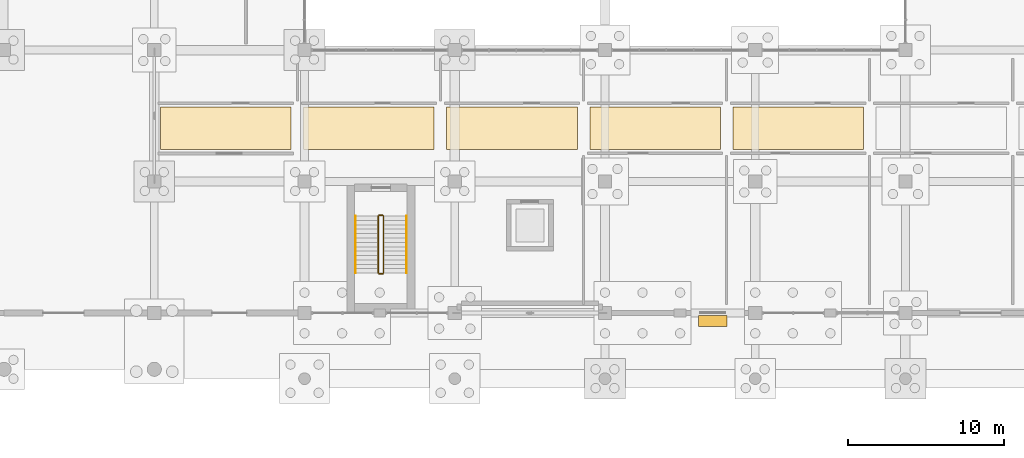
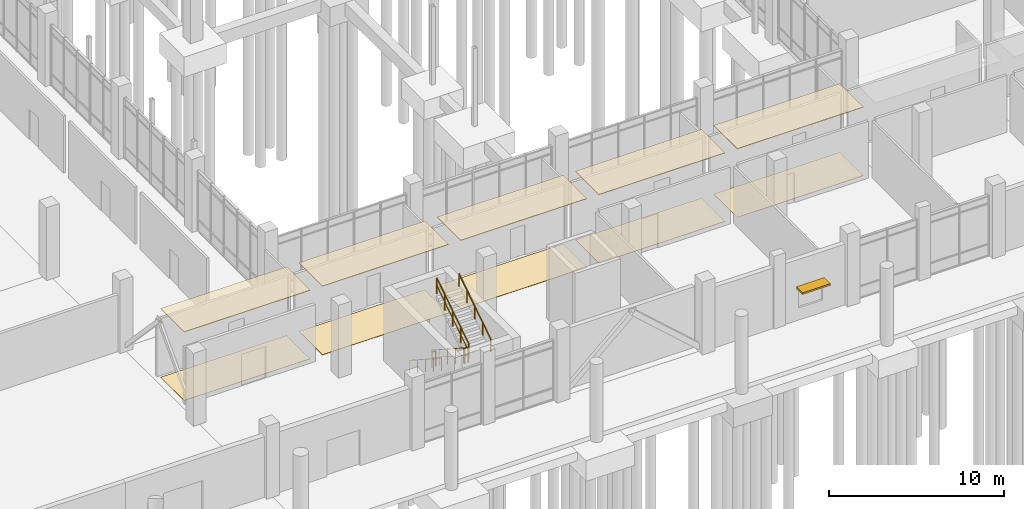
# One storey, part 129 of 136: 10 coverings, 6 railings, 1 shading device.
"""IFC4 building model written with IfcOpenShell, lengths in metres."""

import ifcopenshell
import ifcopenshell.guid

model = None  # the IFC model being written
_history = None  # IfcOwnerHistory: only IFC2X3 demands one
_inside = {}  # id of a spatial element -> (the spatial element, [elements in it])
_under = {}  # id of a project, library or spatial element -> (it, [spatial elements below it])
_declared = {}  # id of a project -> (the project, [libraries it declares])
_typed = {}  # id of a type object -> (the type object, [elements of that type])
_made_of = {}  # id of a material, layer set ... -> (it, [elements and type objects made of it])


def new_model(schema):
    """Start an empty IFC model of exactly this schema.

    Asked for "IFC4X3", IfcOpenShell would pick the latest addendum, in which some entities
    have other attributes; the version numbers below select the first issue.
    IFC2X3 requires an IfcOwnerHistory on every rooted entity: one is made here for all.
    """
    global model, _history
    if schema == "IFC4X3":
        model = ifcopenshell.file(schema_version=(4, 3, 0, 0))
    else:
        model = ifcopenshell.file(schema=schema)
    _inside.clear()
    _under.clear()
    _declared.clear()
    _typed.clear()
    _made_of.clear()
    _history = None
    if model.schema == "IFC2X3":
        org = make("IfcOrganization", Name="unknown")
        user = make(
            "IfcPersonAndOrganization",
            ThePerson=make("IfcPerson", FamilyName="unknown"),
            TheOrganization=org,
        )
        app = make(
            "IfcApplication",
            ApplicationDeveloper=org,
            Version="unknown",
            ApplicationFullName="unknown",
            ApplicationIdentifier="unknown",
        )
        _history = make(
            "IfcOwnerHistory",
            OwningUser=user,
            OwningApplication=app,
            ChangeAction="ADDED",
            CreationDate=0,
        )
    return model


def make(cls, **values):
    """One entity of the class cls with the attributes given. An attribute that is None is left unset."""
    return model.create_entity(
        cls, **{name: value for name, value in values.items() if value is not None}
    )


def rooted(cls, **values):
    """An entity with a GlobalId (a new one), such as an element, a storey or a relation."""
    return make(cls, GlobalId=ifcopenshell.guid.new(), OwnerHistory=_history, **values)


def si_unit(unit_type, name, prefix=None):
    """IfcSIUnit, for example si_unit("LENGTHUNIT", "METRE", prefix="MILLI")."""
    return make("IfcSIUnit", UnitType=unit_type, Prefix=prefix, Name=name)


def assignment(units):
    """IfcUnitAssignment: the units of a project."""
    return None if units is None else make("IfcUnitAssignment", Units=units)


def point(xyz):
    """IfcCartesianPoint."""
    return None if xyz is None else make("IfcCartesianPoint", Coordinates=xyz)


def direction(xyz):
    """IfcDirection."""
    return None if xyz is None else make("IfcDirection", DirectionRatios=xyz)


def frame(location, z_axis=None, x_axis=None):
    """IfcAxis2Placement3D, a coordinate frame: its origin and axes. An axis left out is left unset."""
    return make(
        "IfcAxis2Placement3D",
        Location=point(location),
        Axis=direction(z_axis),
        RefDirection=direction(x_axis),
    )


def frame_2d(location, x_axis=None):
    """IfcAxis2Placement2D, a coordinate frame in the plane: its origin and x axis."""
    return make(
        "IfcAxis2Placement2D", Location=point(location), RefDirection=direction(x_axis)
    )


def origin():
    """The frame at (0, 0, 0) with its axes left unset."""
    return frame((0.0, 0.0, 0.0))


def origin_2d():
    """The frame at (0, 0) in the plane with its x axis left unset."""
    return frame_2d((0.0, 0.0))


def place(relative_to, where):
    """IfcLocalPlacement: puts the frame where relative to a parent placement (None: the world)."""
    return make(
        "IfcLocalPlacement", PlacementRelTo=relative_to, RelativePlacement=where
    )


def context(
    kind, dimensions, precision=None, world=None, true_north=None, identifier=None
):
    """IfcGeometricRepresentationContext, for example the 3D "Model" context."""
    return make(
        "IfcGeometricRepresentationContext",
        ContextIdentifier=identifier,
        ContextType=kind,
        CoordinateSpaceDimension=dimensions,
        Precision=precision,
        WorldCoordinateSystem=world,
        TrueNorth=true_north,
    )


def subcontext(parent, identifier, kind, view, scale=None):
    """IfcGeometricRepresentationSubContext, for example "Body" below "Model"."""
    return make(
        "IfcGeometricRepresentationSubContext",
        ContextIdentifier=identifier,
        ContextType=kind,
        ParentContext=parent,
        TargetScale=scale,
        TargetView=view,
    )


def project(units=None, contexts=None):
    """IfcProject with its units and contexts."""
    return rooted(
        "IfcProject",
        Name="project",
        RepresentationContexts=contexts,
        UnitsInContext=assignment(units),
    )


def spatial(cls, under=None, at=None, **own):
    """A site, building, storey or space (cls), placed at a placement, below another one or the project."""
    s = rooted(cls, ObjectPlacement=at, **own)
    if under is not None:
        _under.setdefault(under.id(), (under, []))[1].append(s)
    return s


def polyline(points):
    """IfcPolyline through the points."""
    return make("IfcPolyline", Points=[point(p) for p in points])


def profile(cls, at=None, kind="AREA", **sizes):
    """A parametric profile (cls). Its sizes go by their IFC names, for example OverallWidth=200.0."""
    return make(cls, ProfileType=kind, Position=at, **sizes)


def rectangle(**sizes):
    """IfcRectangleProfileDef."""
    return profile("IfcRectangleProfileDef", **sizes)


def circle(**sizes):
    """IfcCircleProfileDef."""
    return profile("IfcCircleProfileDef", **sizes)


def outline(outer, holes=None, kind="AREA"):
    """IfcArbitraryClosedProfileDef: a profile drawn as a closed curve; with holes, ...WithVoids."""
    if holes is None:
        return make("IfcArbitraryClosedProfileDef", ProfileType=kind, OuterCurve=outer)
    return make(
        "IfcArbitraryProfileDefWithVoids",
        ProfileType=kind,
        OuterCurve=outer,
        InnerCurves=holes,
    )


def extrude(swept, where, along, depth):
    """IfcExtrudedAreaSolid: the profile swept, set in the frame where, extruded along a direction by depth."""
    return make(
        "IfcExtrudedAreaSolid",
        SweptArea=swept,
        Position=where,
        ExtrudedDirection=direction(along),
        Depth=depth,
    )


def shape(context_of_items, identifier, shape_type, items):
    """IfcShapeRepresentation: the items that make up one representation, for example the "Body"."""
    return make(
        "IfcShapeRepresentation",
        ContextOfItems=context_of_items,
        RepresentationIdentifier=identifier,
        RepresentationType=shape_type,
        Items=items,
    )


def material(Name=None, Category=None):
    """IfcMaterial."""
    return make("IfcMaterial", Name=Name, Category=Category)


def layer(
    of_material, thickness, ventilated=None, Name=None, Category=None, Priority=None
):
    """IfcMaterialLayer: one layer of a wall or slab, of a material (None: an air gap)."""
    return make(
        "IfcMaterialLayer",
        Material=of_material,
        LayerThickness=thickness,
        IsVentilated=ventilated,
        Name=Name,
        Category=Category,
        Priority=Priority,
    )


def layer_set(layers, Name=None):
    """IfcMaterialLayerSet."""
    return make("IfcMaterialLayerSet", MaterialLayers=layers, LayerSetName=Name)


def made_of(thing, what):
    """Note that an element or type object is made of a material, layer set ...; save() writes the relation."""
    if what is not None:
        _made_of.setdefault(what.id(), (what, []))[1].append(thing)
    return thing


def type_object(cls, material=None, **own):
    """A type object (cls), such as IfcWallType, which elements share."""
    return made_of(rooted(cls, **own), material)


def element(
    cls,
    number,
    at=None,
    inside=None,
    cuts=None,
    type_object=None,
    material=None,
    context=None,
    identifier="Body",
    shape_type=None,
    held_by="IfcProductDefinitionShape",
    body=None,
    shapes=None,
    **own,
):
    """One element of the class cls, such as IfcWall. Its Tag is "e" and its number.

    at: its placement. inside: the storey or other place that contains it. cuts: it is an
    opening in that element (IfcRelVoidsElement). A single representation is given by context,
    identifier, shape_type and body (its items); several are given by shapes. held_by: the class
    of the entity that holds the representations. save() writes the other relations.
    """
    e = rooted(cls, Tag="e%d" % number, ObjectPlacement=at, **own)
    if body is not None:
        shapes = [shape(context, identifier, shape_type, body)]
    if shapes is not None:
        e.Representation = make(held_by, Representations=shapes)
    if inside is not None:
        _inside.setdefault(inside.id(), (inside, []))[1].append(e)
    if cuts is not None:
        rooted(
            "IfcRelVoidsElement", RelatingBuildingElement=cuts, RelatedOpeningElement=e
        )
    if type_object is not None:
        _typed.setdefault(type_object.id(), (type_object, []))[1].append(e)
    return made_of(e, material)


def aggregate(whole, parts):
    """IfcRelAggregates: a whole, such as a stair, and the parts it consists of."""
    return rooted("IfcRelAggregates", RelatingObject=whole, RelatedObjects=parts)


def save(model, path):
    """Write the relations noted so far, then the file.

    IfcRelAggregates (storeys below a building ...), IfcRelContainedInSpatialStructure (elements
    in a storey), IfcRelDefinesByType, IfcRelAssociatesMaterial and IfcRelDeclares: one each for
    every whole, place, type object, material and project.
    """
    for whole, parts in _under.values():
        aggregate(whole, parts)
    for where, things in _inside.values():
        rooted(
            "IfcRelContainedInSpatialStructure",
            RelatedElements=things,
            RelatingStructure=where,
        )
    for kind, things in _typed.values():
        rooted("IfcRelDefinesByType", RelatedObjects=things, RelatingType=kind)
    for what, things in _made_of.values():
        rooted("IfcRelAssociatesMaterial", RelatedObjects=things, RelatingMaterial=what)
    for by, libraries in _declared.values():
        rooted("IfcRelDeclares", RelatingContext=by, RelatedDefinitions=libraries)
    model.write(path)


model = new_model("IFC4")

# Units and contexts
model_context = context("Model", 3, precision=1e-05, world=origin(), true_north=direction((0.0, 1.0)))
body_context = subcontext(model_context, "Body", "Model", "MODEL_VIEW")
ifc_project = project(units=[si_unit("LENGTHUNIT", "METRE"), si_unit("AREAUNIT", "SQUARE_METRE"), si_unit("VOLUMEUNIT", "CUBIC_METRE"), si_unit("PLANEANGLEUNIT", "RADIAN"), si_unit("MASSUNIT", "GRAM", prefix="KILO")], contexts=[model_context])

# Site, building, storey
site_placement = place(None, origin())
site = spatial("IfcSite", under=ifc_project, at=site_placement, CompositionType="ELEMENT")
building_placement = place(site_placement, origin())
building = spatial("IfcBuilding", under=site, at=building_placement, Name="Oolite Switchyard Hospital", CompositionType="ELEMENT")
storey_placement = place(building_placement, origin())
storey = spatial("IfcBuildingStorey", under=building, at=storey_placement, Name="L00", CompositionType="ELEMENT", Elevation=0.0)

# Coverings
ifc_material_1 = material(Name="Hygienic washable mineral-fibre acoustic ceiling")
ifc_layer_1 = layer(ifc_material_1, 0.0400390625)
ifc_layer_set_1 = layer_set([ifc_layer_1], Name="COV-CEIL-AC60")
covering_type_1 = type_object("IfcCoveringType", Name="COV-CEIL-AC60", PredefinedType="CEILING", material=ifc_layer_set_1)
covering_1_placement = place(storey_placement, frame((0.0, 0.0, 4.784912109375)))
element("IfcCovering", 1, at=covering_1_placement, inside=storey, type_object=covering_type_1, Name="L00 Outpatient South Clinic Corridor L00 Ceiling 1", PredefinedType="CEILING", context=body_context, shape_type="SweptSolid", body=[
    extrude(outline(polyline([(134.800048828125, 18.85009765625), (143.14306640625, 18.85009765625), (143.14306640625, 21.550048828125), (134.800048828125, 21.550048828125), (134.800048828125, 18.85009765625)])), origin(), (0.0, 0.0, 1.0), 0.0400390625),
])
covering_2_placement = place(storey_placement, frame((0.0, 0.0, 4.784912109375)))
element("IfcCovering", 2, at=covering_2_placement, inside=storey, type_object=covering_type_1, Name="L00 Outpatient South Clinic Corridor L00 Ceiling 2", PredefinedType="CEILING", context=body_context, shape_type="SweptSolid", body=[
    extrude(outline(polyline([(143.943115234375, 18.85009765625), (152.285888671875, 18.85009765625), (152.285888671875, 21.550048828125), (143.943115234375, 21.550048828125), (143.943115234375, 18.85009765625)])), origin(), (0.0, 0.0, 1.0), 0.0400390625),
])
covering_3_placement = place(storey_placement, frame((0.0, 0.0, 4.784912109375)))
element("IfcCovering", 3, at=covering_3_placement, inside=storey, type_object=covering_type_1, Name="L00 Outpatient South Clinic Corridor L00 Ceiling 3", PredefinedType="CEILING", context=body_context, shape_type="SweptSolid", body=[
    extrude(outline(polyline([(153.0859375, 18.85009765625), (161.428955078125, 18.85009765625), (161.428955078125, 21.550048828125), (153.0859375, 21.550048828125), (153.0859375, 18.85009765625)])), origin(), (0.0, 0.0, 1.0), 0.0400390625),
])
covering_4_placement = place(storey_placement, frame((0.0, 0.0, 4.784912109375)))
element("IfcCovering", 4, at=covering_4_placement, inside=storey, type_object=covering_type_1, Name="L00 Outpatient South Clinic Corridor L00 Ceiling 4", PredefinedType="CEILING", context=body_context, shape_type="SweptSolid", body=[
    extrude(outline(polyline([(162.22900390625, 18.85009765625), (170.572021484375, 18.85009765625), (170.572021484375, 21.550048828125), (162.22900390625, 21.550048828125), (162.22900390625, 18.85009765625)])), origin(), (0.0, 0.0, 1.0), 0.0400390625),
])
covering_5_placement = place(storey_placement, frame((0.0, 0.0, 4.784912109375)))
element("IfcCovering", 5, at=covering_5_placement, inside=storey, type_object=covering_type_1, Name="L00 Outpatient South Clinic Corridor L00 Ceiling 5", PredefinedType="CEILING", context=body_context, shape_type="SweptSolid", body=[
    extrude(outline(polyline([(171.3720703125, 18.85009765625), (179.715087890625, 18.85009765625), (179.715087890625, 21.550048828125), (171.3720703125, 21.550048828125), (171.3720703125, 18.85009765625)])), origin(), (0.0, 0.0, 1.0), 0.0400390625),
])
ifc_material_2 = material(Name="Epoxy terrazzo seamless clinical flooring")
ifc_layer_2 = layer(ifc_material_2, 0.02001953125)
ifc_layer_set_2 = layer_set([ifc_layer_2], Name="COV-FLR-TER20")
covering_type_2 = type_object("IfcCoveringType", Name="COV-FLR-TER20", PredefinedType="FLOORING", material=ifc_layer_set_2)
covering_6_placement = place(storey_placement, origin())
element("IfcCovering", 6, at=covering_6_placement, inside=storey, type_object=covering_type_2, Name="L00 Outpatient South Clinic Corridor L00 Flooring 1", PredefinedType="FLOORING", context=body_context, shape_type="SweptSolid", body=[
    extrude(outline(polyline([(134.800048828125, 18.85009765625), (143.14306640625, 18.85009765625), (143.14306640625, 21.550048828125), (134.800048828125, 21.550048828125), (134.800048828125, 18.85009765625)])), origin(), (0.0, 0.0, 1.0), 0.02001953125),
])
covering_7_placement = place(storey_placement, origin())
element("IfcCovering", 7, at=covering_7_placement, inside=storey, type_object=covering_type_2, Name="L00 Outpatient South Clinic Corridor L00 Flooring 2", PredefinedType="FLOORING", context=body_context, shape_type="SweptSolid", body=[
    extrude(outline(polyline([(143.943115234375, 18.85009765625), (152.285888671875, 18.85009765625), (152.285888671875, 21.550048828125), (143.943115234375, 21.550048828125), (143.943115234375, 18.85009765625)])), origin(), (0.0, 0.0, 1.0), 0.02001953125),
])
covering_8_placement = place(storey_placement, origin())
element("IfcCovering", 8, at=covering_8_placement, inside=storey, type_object=covering_type_2, Name="L00 Outpatient South Clinic Corridor L00 Flooring 3", PredefinedType="FLOORING", context=body_context, shape_type="SweptSolid", body=[
    extrude(outline(polyline([(153.0859375, 18.85009765625), (161.428955078125, 18.85009765625), (161.428955078125, 21.550048828125), (153.0859375, 21.550048828125), (153.0859375, 18.85009765625)])), origin(), (0.0, 0.0, 1.0), 0.02001953125),
])
covering_9_placement = place(storey_placement, origin())
element("IfcCovering", 9, at=covering_9_placement, inside=storey, type_object=covering_type_2, Name="L00 Outpatient South Clinic Corridor L00 Flooring 4", PredefinedType="FLOORING", context=body_context, shape_type="SweptSolid", body=[
    extrude(outline(polyline([(162.22900390625, 18.85009765625), (170.572021484375, 18.85009765625), (170.572021484375, 21.550048828125), (162.22900390625, 21.550048828125), (162.22900390625, 18.85009765625)])), origin(), (0.0, 0.0, 1.0), 0.02001953125),
])
covering_10_placement = place(storey_placement, origin())
element("IfcCovering", 10, at=covering_10_placement, inside=storey, type_object=covering_type_2, Name="L00 Outpatient South Clinic Corridor L00 Flooring 5", PredefinedType="FLOORING", context=body_context, shape_type="SweptSolid", body=[
    extrude(outline(polyline([(171.3720703125, 18.85009765625), (179.715087890625, 18.85009765625), (179.715087890625, 21.550048828125), (171.3720703125, 21.550048828125), (171.3720703125, 18.85009765625)])), origin(), (0.0, 0.0, 1.0), 0.02001953125),
])

# Railings
ifc_material_3 = material(Name="Galvanized painted architectural steel handrail", Category="steel")
railing_type_1 = type_object("IfcRailingType", Name="RL-STAIR-GRD", PredefinedType="GUARDRAIL", material=ifc_material_3)
railing_1_placement = place(storey_placement, frame((148.7099609375, 14.590087890625, 0.18212890625)))
element("IfcRailing", 11, at=railing_1_placement, inside=storey, type_object=railing_type_1, Name="L00 ST-05 stair guard 1", PredefinedType="GUARDRAIL", context=body_context, shape_type="SweptSolid", body=[
    extrude(circle(Radius=0.02392578125, at=origin_2d()), frame((0.0, 0.0, 1.076171875), z_axis=(0.0, -0.83825089185, 0.545284735081), x_axis=(1.0, 0.0, 0.0)), (0.0, 0.0, 1.0), 4.342529296875),
    extrude(circle(Radius=0.015625, at=origin_2d()), frame((0.0, 0.0, 0.550048828125), z_axis=(0.0, -0.83825089185, 0.545284735081), x_axis=(1.0, 0.0, 0.0)), (0.0, 0.0, 1.0), 4.342529296875),
    extrude(circle(Radius=0.02099609375, at=origin_2d()), origin(), (0.0, 0.0, 1.0), 1.052001953125),
    extrude(circle(Radius=0.02099609375, at=origin_2d()), frame((0.0, -0.91015625, 0.592041015625)), (0.0, 0.0, 1.0), 1.052001953125),
    extrude(circle(Radius=0.02099609375, at=origin_2d()), frame((0.0, -1.820068359375, 1.18408203125)), (0.0, 0.0, 1.0), 1.052001953125),
    extrude(circle(Radius=0.02099609375, at=origin_2d()), frame((0.0, -2.72998046875, 1.77587890625)), (0.0, 0.0, 1.0), 1.052001953125),
    extrude(circle(Radius=0.02099609375, at=origin_2d()), frame((0.0, -3.64013671875, 2.367919921875)), (0.0, 0.0, 1.0), 1.052001953125),
])
railing_2_placement = place(storey_placement, frame((148.760009765625, 10.89990234375, 2.550048828125)))
element("IfcRailing", 12, at=railing_2_placement, inside=storey, type_object=railing_type_1, Name="L00 ST-05 stair guard 2", PredefinedType="GUARDRAIL", context=body_context, shape_type="SweptSolid", body=[
    extrude(circle(Radius=0.02392578125, at=origin_2d()), frame((0.0, 0.0, 1.076171875), z_axis=(1.0, 0.0, 0.0), x_axis=(0.0, 1.0, 0.0)), (0.0, 0.0, 1.0), 0.239990234375),
    extrude(circle(Radius=0.015625, at=origin_2d()), frame((0.0, 0.0, 0.550048828125), z_axis=(1.0, 0.0, 0.0), x_axis=(0.0, 1.0, 0.0)), (0.0, 0.0, 1.0), 0.239990234375),
    extrude(circle(Radius=0.02099609375, at=origin_2d()), origin(), (0.0, 0.0, 1.0), 1.052001953125),
    extrude(circle(Radius=0.02099609375, at=origin_2d()), frame((0.239990234375, 0.0, 0.0)), (0.0, 0.0, 1.0), 1.052001953125),
])
railing_3_placement = place(storey_placement, frame((149.050048828125, 10.949951171875, 2.732177734375)))
element("IfcRailing", 13, at=railing_3_placement, inside=storey, type_object=railing_type_1, Name="L00 ST-05 stair guard 3", PredefinedType="GUARDRAIL", context=body_context, shape_type="SweptSolid", body=[
    extrude(circle(Radius=0.02392578125, at=origin_2d()), frame((0.0, 0.0, 1.076171875), z_axis=(0.0, 0.83825089185, 0.545284735081), x_axis=(-1.0, 0.0, 0.0)), (0.0, 0.0, 1.0), 4.342529296875),
    extrude(circle(Radius=0.015625, at=origin_2d()), frame((0.0, 0.0, 0.550048828125), z_axis=(0.0, 0.83825089185, 0.545284735081), x_axis=(-1.0, 0.0, 0.0)), (0.0, 0.0, 1.0), 4.342529296875),
    extrude(circle(Radius=0.02099609375, at=origin_2d()), origin(), (0.0, 0.0, 1.0), 1.052001953125),
    extrude(circle(Radius=0.02099609375, at=origin_2d()), frame((0.0, 0.91015625, 0.592041015625)), (0.0, 0.0, 1.0), 1.052001953125),
    extrude(circle(Radius=0.02099609375, at=origin_2d()), frame((0.0, 1.820068359375, 1.18408203125)), (0.0, 0.0, 1.0), 1.052001953125),
    extrude(circle(Radius=0.02099609375, at=origin_2d()), frame((0.0, 2.72998046875, 1.77587890625)), (0.0, 0.0, 1.0), 1.052001953125),
    extrude(circle(Radius=0.02099609375, at=origin_2d()), frame((0.0, 3.64013671875, 2.367919921875)), (0.0, 0.0, 1.0), 1.052001953125),
])
railing_4_placement = place(storey_placement, frame((148.760009765625, 14.639892578125, 0.0)))
element("IfcRailing", 14, at=railing_4_placement, inside=storey, type_object=railing_type_1, Name="L00 ST-05 stair guard 4", PredefinedType="GUARDRAIL", context=body_context, shape_type="SweptSolid", body=[
    extrude(circle(Radius=0.02392578125, at=origin_2d()), frame((0.0, 0.0, 1.076171875), z_axis=(1.0, 0.0, 0.0), x_axis=(0.0, 1.0, 0.0)), (0.0, 0.0, 1.0), 0.239990234375),
    extrude(circle(Radius=0.015625, at=origin_2d()), frame((0.0, 0.0, 0.550048828125), z_axis=(1.0, 0.0, 0.0), x_axis=(0.0, 1.0, 0.0)), (0.0, 0.0, 1.0), 0.239990234375),
    extrude(circle(Radius=0.02099609375, at=origin_2d()), origin(), (0.0, 0.0, 1.0), 1.052001953125),
    extrude(circle(Radius=0.02099609375, at=origin_2d()), frame((0.239990234375, 0.0, 0.0)), (0.0, 0.0, 1.0), 1.052001953125),
])
railing_type_2 = type_object("IfcRailingType", Name="RL-STAIR-HND", PredefinedType="HANDRAIL", material=ifc_material_3)
railing_5_placement = place(storey_placement, frame((147.25, 14.590087890625, 0.18212890625)))
element("IfcRailing", 15, at=railing_5_placement, inside=storey, type_object=railing_type_2, Name="L00 ST-05 stair handrail 1", PredefinedType="HANDRAIL", context=body_context, shape_type="SweptSolid", body=[
    extrude(circle(Radius=0.02392578125, at=origin_2d()), frame((0.0, 0.0, 0.8759765625), z_axis=(0.0, -0.83825089185, 0.545284735081), x_axis=(1.0, 0.0, 0.0)), (0.0, 0.0, 1.0), 4.342529296875),
    extrude(circle(Radius=0.02099609375, at=origin_2d()), origin(), (0.0, 0.0, 1.0), 0.851806640625),
    extrude(circle(Radius=0.02099609375, at=origin_2d()), frame((0.0, -0.91015625, 0.592041015625)), (0.0, 0.0, 1.0), 0.851806640625),
    extrude(circle(Radius=0.02099609375, at=origin_2d()), frame((0.0, -1.820068359375, 1.18408203125)), (0.0, 0.0, 1.0), 0.851806640625),
    extrude(circle(Radius=0.02099609375, at=origin_2d()), frame((0.0, -2.72998046875, 1.77587890625)), (0.0, 0.0, 1.0), 0.851806640625),
    extrude(circle(Radius=0.02099609375, at=origin_2d()), frame((0.0, -3.64013671875, 2.367919921875)), (0.0, 0.0, 1.0), 0.851806640625),
])
railing_6_placement = place(storey_placement, frame((150.510009765625, 10.949951171875, 2.732177734375)))
element("IfcRailing", 16, at=railing_6_placement, inside=storey, type_object=railing_type_2, Name="L00 ST-05 stair handrail 2", PredefinedType="HANDRAIL", context=body_context, shape_type="SweptSolid", body=[
    extrude(circle(Radius=0.02392578125, at=origin_2d()), frame((0.0, 0.0, 0.8759765625), z_axis=(0.0, 0.83825089185, 0.545284735081), x_axis=(-1.0, 0.0, 0.0)), (0.0, 0.0, 1.0), 4.342529296875),
    extrude(circle(Radius=0.02099609375, at=origin_2d()), origin(), (0.0, 0.0, 1.0), 0.851806640625),
    extrude(circle(Radius=0.02099609375, at=origin_2d()), frame((0.0, 0.91015625, 0.592041015625)), (0.0, 0.0, 1.0), 0.851806640625),
    extrude(circle(Radius=0.02099609375, at=origin_2d()), frame((0.0, 1.820068359375, 1.18408203125)), (0.0, 0.0, 1.0), 0.851806640625),
    extrude(circle(Radius=0.02099609375, at=origin_2d()), frame((0.0, 2.72998046875, 1.77587890625)), (0.0, 0.0, 1.0), 0.851806640625),
    extrude(circle(Radius=0.02099609375, at=origin_2d()), frame((0.0, 3.64013671875, 2.367919921875)), (0.0, 0.0, 1.0), 0.851806640625),
])

# Shading device
ifc_material_4 = material(Name="Precast oolitic limestone architectural concrete C40/50", Category="masonry")
ifc_layer_3 = layer(ifc_material_4, 0.1201171875)
ifc_layer_set_3 = layer_set([ifc_layer_3], Name="SHD-BRISE-900")
shading_device_type = type_object("IfcShadingDeviceType", Name="SHD-BRISE-900", PredefinedType="AWNING", material=ifc_layer_set_3)
shading_device_placement = place(storey_placement, frame((170.080078125, 7.889892578125, 2.260009765625), z_axis=(0.0, 0.0, 1.0), x_axis=(1.0, 0.0, 0.0)))
element("IfcShadingDevice", 17, at=shading_device_placement, inside=storey, type_object=shading_device_type, Name="L00 Classical Brise-Soleil Sunshade 3", PredefinedType="AWNING", context=body_context, shape_type="SweptSolid", body=[
    extrude(rectangle(XDim=1.840087890625, YDim=0.699951171875, at=origin_2d()), origin(), (0.0, 0.0, 1.0), 0.1201171875),
])

save(model, "model.ifc")
